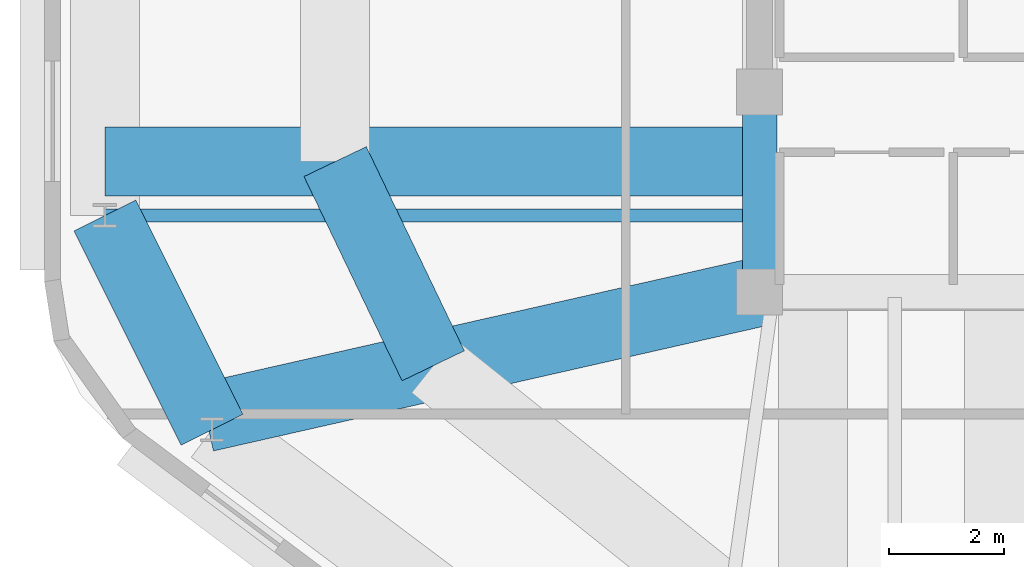
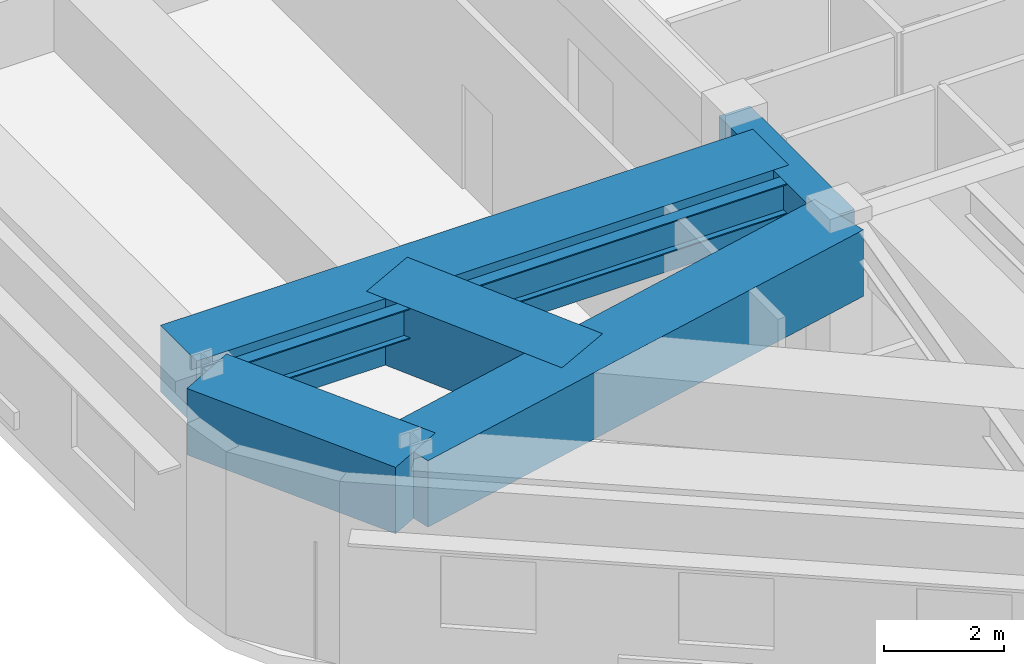
# One storey, part 3 of 17: 6 beams.
"""IFC4 building model written with IfcOpenShell, lengths in metres."""

from ifc_helpers import new_model, si_unit, direction, frame, origin, origin_2d, place, context, subcontext, project, spatial, rectangle, i_section, extrude, material, material_profile, profile_set, type_object, element, save


model = new_model("IFC4")

# Units and contexts
model_context = context("Model", 3, precision=1e-05, world=origin(), true_north=direction((0.0, 1.0)))
body_context = subcontext(model_context, "Body", "Model", "MODEL_VIEW")
ifc_project = project(units=[si_unit("LENGTHUNIT", "METRE"), si_unit("AREAUNIT", "SQUARE_METRE"), si_unit("VOLUMEUNIT", "CUBIC_METRE"), si_unit("PLANEANGLEUNIT", "RADIAN"), si_unit("MASSUNIT", "GRAM", prefix="KILO")], contexts=[model_context])

# Site, building, storey
site_placement = place(None, origin())
site = spatial("IfcSite", under=ifc_project, at=site_placement, CompositionType="ELEMENT")
building_placement = place(site_placement, origin())
building = spatial("IfcBuilding", under=site, at=building_placement, Name="Zulverin Broadcast Headquarters", CompositionType="ELEMENT")
storey_placement = place(building_placement, frame((0.0, 0.0, 317.39990234375)))
storey = spatial("IfcBuildingStorey", under=building, at=storey_placement, Name="C2", CompositionType="ELEMENT", Elevation=317.39990234375)

# Beams
ifc_material_1 = material(Name="Concrete C60/75", Category="concrete")
ifc_material_profile_1 = material_profile(ifc_material_1, rectangle(XDim=0.60009765625, YDim=0.89990234375, at=origin_2d()), Name="Concrete C60/75", Category="concrete")
ifc_profile_set_1 = profile_set([ifc_material_profile_1], Name="Concrete C60/75")
beam_type_1 = type_object("IfcBeamType", Name="BM-CB-600x900", PredefinedType="LINTEL", material=ifc_profile_set_1)
beam_1_placement = place(storey_placement, frame((30.625, 20.800048828125, 3.27001953125), z_axis=(0.0, -1.0, 0.0), x_axis=(1.0, 0.0, 0.0)))
element("IfcBeam", 1, at=beam_1_placement, inside=storey, type_object=beam_type_1, Name="C2 Core Coupling Girder K08-K01", PredefinedType="LINTEL", context=body_context, shape_type="SweptSolid", body=[
    extrude(rectangle(XDim=0.60009765625, YDim=0.89990234375, at=origin_2d()), origin(), (0.0, 0.0, 1.0), 3.47509765625),
])
ifc_material_2 = material(Name="Concrete C50/60", Category="concrete")
ifc_material_profile_2 = material_profile(ifc_material_2, rectangle(XDim=1.199951171875, YDim=1.35009765625, at=origin_2d()), Name="Concrete C50/60", Category="concrete")
ifc_profile_set_2 = profile_set([ifc_material_profile_2], Name="Concrete C50/60")
beam_type_2 = type_object("IfcBeamType", Name="BM-TG-CRN-1350", PredefinedType="USERDEFINED", material=ifc_profile_set_2)
beam_2_placement = place(storey_placement, frame((19.25, 18.65087890625, 3.045166015625), z_axis=(0.4474013968, -0.894333265702, 0.0), x_axis=(0.894333265702, 0.4474013968, 0.0)))
element("IfcBeam", 2, at=beam_2_placement, inside=storey, type_object=beam_type_2, Name="C2 Perimeter Transfer Ring Girder SP-14", ObjectType="TRANSFER GIRDER", PredefinedType="USERDEFINED", context=body_context, shape_type="SweptSolid", body=[
    extrude(rectangle(XDim=1.199951171875, YDim=1.35009765625, at=origin_2d()), origin(), (0.0, 0.0, 1.0), 4.15966796875),
])
beam_3_placement = place(storey_placement, frame((30.625, 19.58740234375, 3.045166015625), z_axis=(-1.0, 0.0, 0.0), x_axis=(0.0, -1.0, 0.0)))
element("IfcBeam", 3, at=beam_3_placement, inside=storey, type_object=beam_type_2, Name="C3 Step Transfer Girder TG-14", ObjectType="TRANSFER GIRDER", PredefinedType="USERDEFINED", context=body_context, shape_type="SweptSolid", body=[
    extrude(rectangle(XDim=1.199951171875, YDim=1.35009765625, at=origin_2d()), origin(), (0.0, 0.0, 1.0), 11.375),
])
beam_4_placement = place(storey_placement, frame((23.25, 19.58740234375, 3.045166015625), z_axis=(0.433037611011, -0.901375852489, 0.0), x_axis=(0.901375852489, 0.433037611011, 0.0)))
element("IfcBeam", 4, at=beam_4_placement, inside=storey, type_object=beam_type_2, Name="C3 Step Transfer Ring Girder TGR-14", ObjectType="TRANSFER GIRDER", PredefinedType="USERDEFINED", context=body_context, shape_type="SweptSolid", body=[
    extrude(rectangle(XDim=1.199951171875, YDim=1.35009765625, at=origin_2d()), origin(), (0.0, 0.0, 1.0), 3.935302734375),
])
beam_5_placement = place(storey_placement, frame((30.625, 17.324951171875, 3.045166015625), z_axis=(-0.975285534862, -0.220948241652, 0.0), x_axis=(0.220948241652, -0.975285534862, 0.0)))
element("IfcBeam", 5, at=beam_5_placement, inside=storey, type_object=beam_type_2, Name="C3 Step Transfer Girder TG-15", ObjectType="TRANSFER GIRDER", PredefinedType="USERDEFINED", context=body_context, shape_type="SweptSolid", body=[
    extrude(rectangle(XDim=1.199951171875, YDim=1.35009765625, at=origin_2d()), origin(), (0.0, 0.0, 1.0), 9.865234375),
])
ifc_material_3 = material(Name="Structural steel S355JR", Category="steel")
ifc_material_profile_3 = material_profile(ifc_material_3, i_section(OverallWidth=0.230224609375, OverallDepth=0.6171875, WebThickness=0.01318359375, FlangeThickness=0.022216796875, at=origin_2d()), Name="Structural steel S355JR", Category="steel")
ifc_profile_set_3 = profile_set([ifc_material_profile_3], Name="Structural steel S355JR")
beam_type_3 = type_object("IfcBeamType", Name="BM-UB-610", PredefinedType="BEAM", material=ifc_profile_set_3)
beam_6_placement = place(storey_placement, frame((30.625, 18.65087890625, 3.411376953125), z_axis=(-1.0, 0.0, 0.0), x_axis=(0.0, -1.0, 0.0)))
element("IfcBeam", 6, at=beam_6_placement, inside=storey, type_object=beam_type_3, Name="C2 Radial Primary Floor Beam RB-14", PredefinedType="BEAM", context=body_context, shape_type="SweptSolid", body=[
    extrude(i_section(OverallWidth=0.230224609375, OverallDepth=0.6171875, WebThickness=0.01318359375, FlangeThickness=0.022216796875, at=origin_2d()), origin(), (0.0, 0.0, 1.0), 11.375),
])

save(model, "model.ifc")
